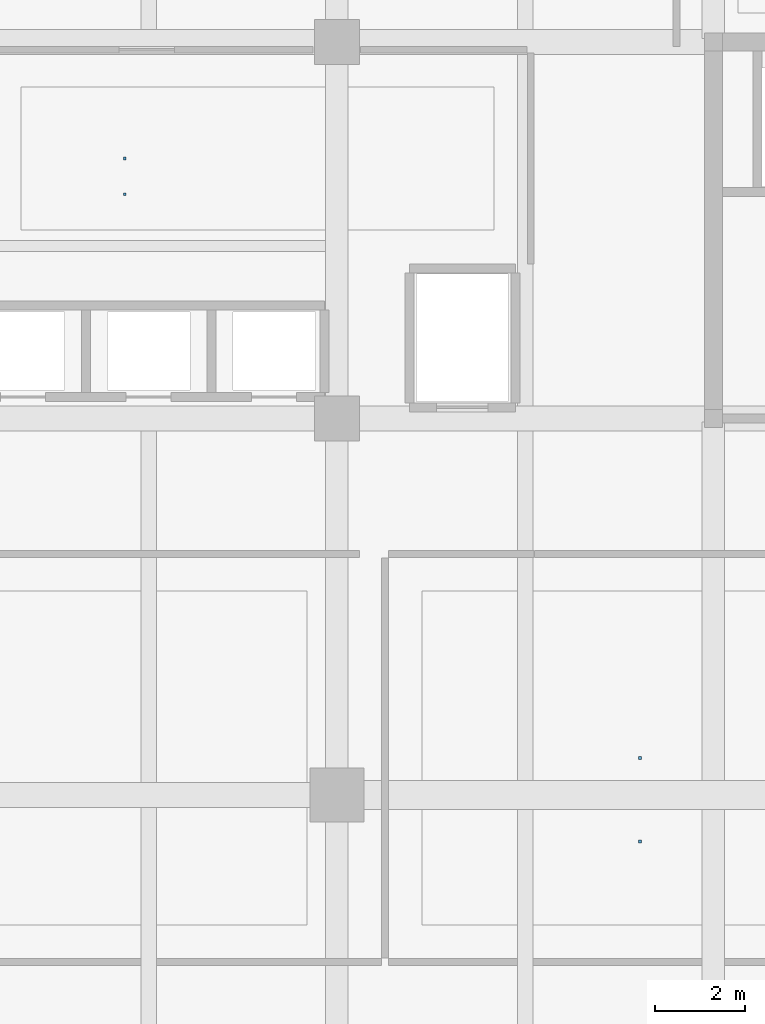
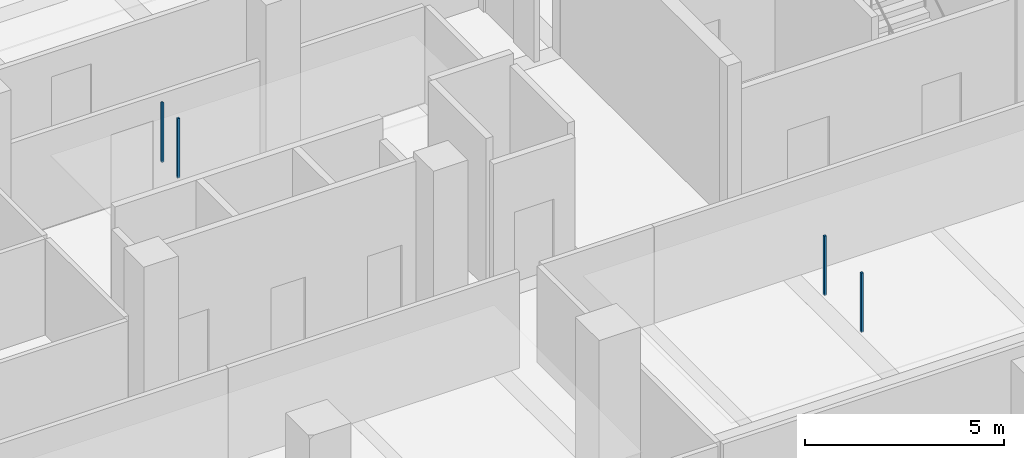
# One storey, part 63 of 128: 4 discrete accessories.
"""IFC4 building model written with IfcOpenShell, lengths in metres."""

from ifc_helpers import new_model, si_unit, direction, frame, origin, origin_2d, place, context, subcontext, project, spatial, rectangle, extrude, material, type_object, element, save


model = new_model("IFC4")

# Units and contexts
model_context = context("Model", 3, precision=1e-05, world=origin(), true_north=direction((0.0, 1.0)))
body_context = subcontext(model_context, "Body", "Model", "MODEL_VIEW")
ifc_project = project(units=[si_unit("LENGTHUNIT", "METRE"), si_unit("AREAUNIT", "SQUARE_METRE"), si_unit("VOLUMEUNIT", "CUBIC_METRE"), si_unit("PLANEANGLEUNIT", "RADIAN"), si_unit("MASSUNIT", "GRAM", prefix="KILO")], contexts=[model_context])

# Site, building, storey
site_placement = place(None, origin())
site = spatial("IfcSite", under=ifc_project, at=site_placement, CompositionType="ELEMENT")
building_placement = place(site_placement, origin())
building = spatial("IfcBuilding", under=site, at=building_placement, Name="Telukmera Botanical Conservatory", CompositionType="ELEMENT")
storey_placement = place(building_placement, frame((0.0, 0.0, 5.39990234375)))
storey = spatial("IfcBuildingStorey", under=building, at=storey_placement, Name="L01", CompositionType="ELEMENT", Elevation=5.39990234375)

# Discrete accessories
ifc_material = material(Name="Steel S355", Category="steel")
discrete_accessory_type = type_object("IfcDiscreteAccessoryType", Name="ACC-CEIL-HGR", PredefinedType="BRACKET", material=ifc_material)
for number, where, z_axis, x_axis, name in (
    (1, (79.27099609375, 31.0, 2.76025390625), (0.0, 0.0, 1.0), (1.0, 0.0, 0.0), "L01 Suspended Ceiling Hanger Rod 050-1"),
    (2, (79.27099609375, 31.800048828125, 2.76025390625), (0.0, 0.0, 1.0), (1.0, 0.0, 0.0), "L01 Suspended Ceiling Hanger Rod 050-2"),
):
    element("IfcDiscreteAccessory", number, at=place(storey_placement, frame(where, z_axis=z_axis, x_axis=x_axis)), inside=storey, type_object=discrete_accessory_type, Name=name, PredefinedType="BRACKET", context=body_context, shape_type="SweptSolid", body=[
        extrude(rectangle(XDim=0.06005859375, YDim=0.06005859375, at=origin_2d()), origin(), (0.0, 0.0, 1.0), 1.824951171875),
    ])
for number, where, z_axis, x_axis, name in (
    (3, (90.761962890625, 16.5625, 2.77001953125), (0.0, 0.0, 1.0), (1.0, 0.0, 0.0), "L01 Suspended Ceiling Hanger Rod 067-1"),
    (4, (90.761962890625, 18.425048828125, 2.77001953125), (0.0, 0.0, 1.0), (1.0, 0.0, 0.0), "L01 Suspended Ceiling Hanger Rod 067-2"),
):
    element("IfcDiscreteAccessory", number, at=place(storey_placement, frame(where, z_axis=z_axis, x_axis=x_axis)), inside=storey, type_object=discrete_accessory_type, Name=name, PredefinedType="BRACKET", context=body_context, shape_type="SweptSolid", body=[
        extrude(rectangle(XDim=0.06005859375, YDim=0.06005859375, at=origin_2d()), origin(), (0.0, 0.0, 1.0), 1.81494140625),
    ])

save(model, "model.ifc")
